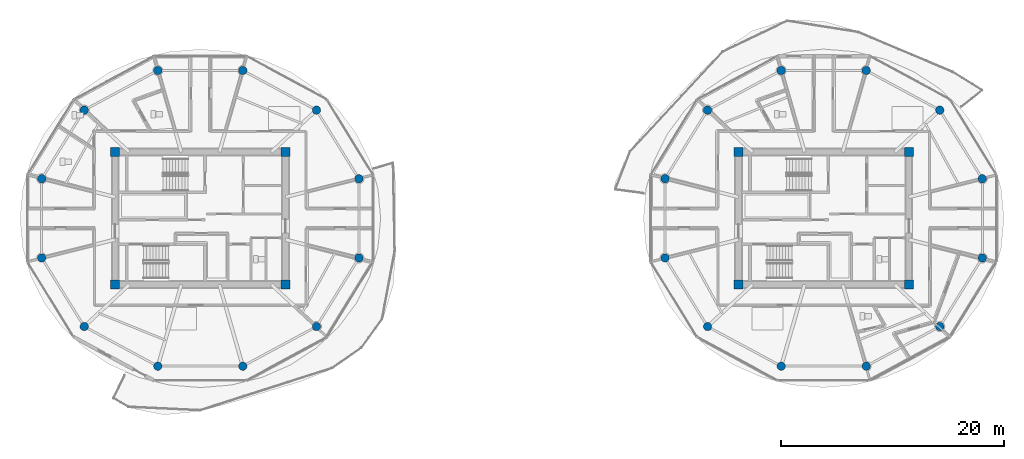
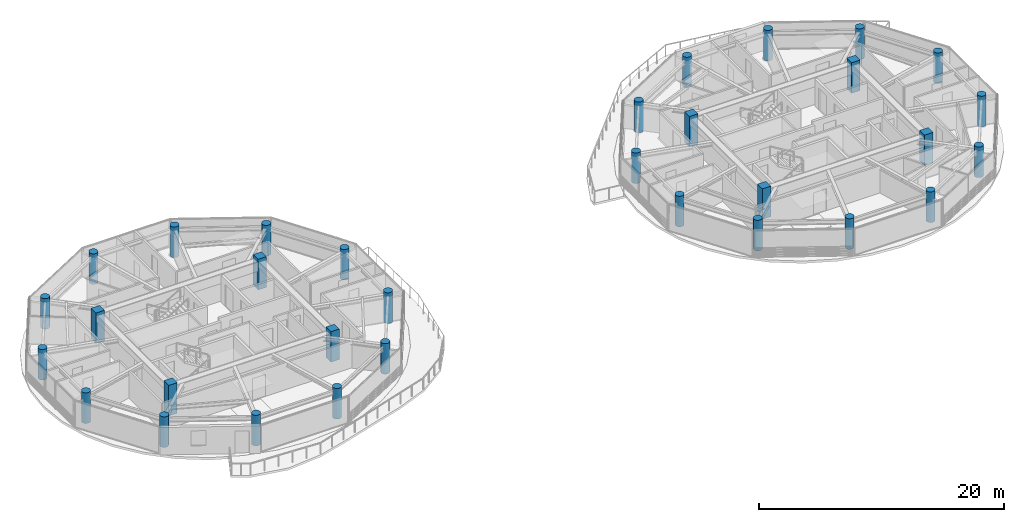
# One storey, part 1 of 21: 32 columns.
"""IFC4 building model written with IfcOpenShell, lengths in metres."""

from ifc_helpers import new_model, si_unit, direction, frame, origin, origin_2d, place, context, subcontext, project, spatial, rectangle, circle, extrude, source, transform, mapped, material, material_profile, profile_set, type_object, type_shapes, element, save


model = new_model("IFC4")

# Units and contexts
model_context = context("Model", 3, precision=1e-05, world=origin(), true_north=direction((0.0, 1.0)))
body_context = subcontext(model_context, "Body", "Model", "MODEL_VIEW")
ifc_project = project(units=[si_unit("LENGTHUNIT", "METRE"), si_unit("AREAUNIT", "SQUARE_METRE"), si_unit("VOLUMEUNIT", "CUBIC_METRE"), si_unit("PLANEANGLEUNIT", "RADIAN"), si_unit("MASSUNIT", "GRAM", prefix="KILO")], contexts=[model_context])

# Site, building, storey
site_placement = place(None, origin())
site = spatial("IfcSite", under=ifc_project, at=site_placement, CompositionType="ELEMENT")
building_placement = place(site_placement, origin())
building = spatial("IfcBuilding", under=site, at=building_placement, Name="Norrkilde Senior Care Towers", CompositionType="ELEMENT")
storey_placement = place(building_placement, frame((0.0, 0.0, 241.35009765625)))
storey = spatial("IfcBuildingStorey", under=building, at=storey_placement, Name="L75", CompositionType="ELEMENT", Elevation=241.35009765625)

# Columns
ifc_material_1 = material(Name="Concrete C60/75", Category="concrete")
ifc_material_profile_1 = material_profile(ifc_material_1, rectangle(XDim=0.800048828125, YDim=0.800048828125, at=origin_2d()), Name="RC COL 800x800")
ifc_profile_set_1 = profile_set([ifc_material_profile_1], Name="Concrete C60/75")
column_type_1 = type_object("IfcColumnType", Name="Column Core Corner Z3-Z4 800", PredefinedType="COLUMN", material=ifc_profile_set_1)
shared_shape_1 = source(origin(), body_context, "Body", "SweptSolid", [
    extrude(rectangle(XDim=0.800048828125, YDim=0.800048828125, at=origin_2d()), origin(), (0.0, 0.0, 1.0), 3.0498046875),
])
type_shapes(column_type_1, [shared_shape_1])
for number, where, z_axis, x_axis, name in (
    (1, (-35.64990234375, -5.949951171875, 0.0), (0.0, 0.0, 1.0), (1.0, 0.0, 0.0), "L75 Core W Corner Column 1"),
    (2, (-20.35009765625, -5.949951171875, 0.0), (0.0, 0.0, 1.0), (1.0, 0.0, 0.0), "L75 Core W Corner Column 2"),
    (3, (-20.35009765625, 5.949951171875, 0.0), (0.0, 0.0, 1.0), (1.0, 0.0, 0.0), "L75 Core W Corner Column 3"),
    (4, (-35.64990234375, 5.949951171875, 0.0), (0.0, 0.0, 1.0), (1.0, 0.0, 0.0), "L75 Core W Corner Column 4"),
    (5, (20.35009765625, -5.949951171875, 0.0), (0.0, 0.0, 1.0), (1.0, 0.0, 0.0), "L75 Core E Corner Column 1"),
    (6, (35.64990234375, -5.949951171875, 0.0), (0.0, 0.0, 1.0), (1.0, 0.0, 0.0), "L75 Core E Corner Column 2"),
    (7, (35.64990234375, 5.949951171875, 0.0), (0.0, 0.0, 1.0), (1.0, 0.0, 0.0), "L75 Core E Corner Column 3"),
    (8, (20.35009765625, 5.949951171875, 0.0), (0.0, 0.0, 1.0), (1.0, 0.0, 0.0), "L75 Core E Corner Column 4"),
):
    element("IfcColumn", number, at=place(storey_placement, frame(where, z_axis=z_axis, x_axis=x_axis)), inside=storey, type_object=column_type_1, Name=name, PredefinedType="COLUMN", context=body_context, shape_type="MappedRepresentation", body=[
        mapped(shared_shape_1, transform((0.0, 0.0, 0.0), x_axis=(1.0, 0.0, 0.0), y_axis=(0.0, 1.0, 0.0), z_axis=(0.0, 0.0, 1.0), scale=1.0)),
    ])
ifc_material_2 = material(Name="Concrete C50/60", Category="concrete")
ifc_material_profile_2 = material_profile(ifc_material_2, circle(Radius=0.375, at=origin_2d()), Name="RC CIR 750")
ifc_profile_set_2 = profile_set([ifc_material_profile_2], Name="Concrete C50/60")
column_type_2 = type_object("IfcColumnType", Name="Column Perimeter Z4 750", PredefinedType="COLUMN", material=ifc_profile_set_2)
shared_shape_2 = source(origin(), body_context, "Body", "SweptSolid", [
    extrude(circle(Radius=0.375, at=origin_2d()), origin(), (0.0, 0.0, 1.0), 3.0498046875),
])
type_shapes(column_type_2, [shared_shape_2])
for number, where, z_axis, x_axis, name in (
    (9, (-13.752685546875, 3.558837890625, 0.0), (0.0, 0.0, 1.0), (1.0, 0.0, 0.0), "L75 Drum W Perimeter Column 01"),
    (10, (-17.570068359375, 9.72265625, 0.0), (0.0, 0.0, 1.0), (1.0, 0.0, 0.0), "L75 Drum W Perimeter Column 02"),
    (11, (-24.182373046875, 13.281494140625, 0.0), (0.0, 0.0, 1.0), (1.0, 0.0, 0.0), "L75 Drum W Perimeter Column 03"),
    (12, (-31.817626953125, 13.281494140625, 0.0), (0.0, 0.0, 1.0), (1.0, 0.0, 0.0), "L75 Drum W Perimeter Column 04"),
    (13, (-38.429931640625, 9.72265625, 0.0), (0.0, 0.0, 1.0), (1.0, 0.0, 0.0), "L75 Drum W Perimeter Column 05"),
    (14, (-42.247314453125, 3.558837890625, 0.0), (0.0, 0.0, 1.0), (1.0, 0.0, 0.0), "L75 Drum W Perimeter Column 06"),
    (15, (-42.247314453125, -3.558837890625, 0.0), (0.0, 0.0, 1.0), (1.0, 0.0, 0.0), "L75 Drum W Perimeter Column 07"),
    (16, (-38.429931640625, -9.72265625, 0.0), (0.0, 0.0, 1.0), (1.0, 0.0, 0.0), "L75 Drum W Perimeter Column 08"),
    (17, (-31.817626953125, -13.281494140625, 0.0), (0.0, 0.0, 1.0), (1.0, 0.0, 0.0), "L75 Drum W Perimeter Column 09"),
    (18, (-24.182373046875, -13.281494140625, 0.0), (0.0, 0.0, 1.0), (1.0, 0.0, 0.0), "L75 Drum W Perimeter Column 10"),
    (19, (-17.570068359375, -9.72265625, 0.0), (0.0, 0.0, 1.0), (1.0, 0.0, 0.0), "L75 Drum W Perimeter Column 11"),
    (20, (-13.752685546875, -3.558837890625, 0.0), (0.0, 0.0, 1.0), (1.0, 0.0, 0.0), "L75 Drum W Perimeter Column 12"),
    (21, (42.247314453125, 3.558837890625, 0.0), (0.0, 0.0, 1.0), (1.0, 0.0, 0.0), "L75 Drum E Perimeter Column 01"),
    (22, (38.429931640625, 9.72265625, 0.0), (0.0, 0.0, 1.0), (1.0, 0.0, 0.0), "L75 Drum E Perimeter Column 02"),
    (23, (31.817626953125, 13.281494140625, 0.0), (0.0, 0.0, 1.0), (1.0, 0.0, 0.0), "L75 Drum E Perimeter Column 03"),
    (24, (24.182373046875, 13.281494140625, 0.0), (0.0, 0.0, 1.0), (1.0, 0.0, 0.0), "L75 Drum E Perimeter Column 04"),
    (25, (17.570068359375, 9.72265625, 0.0), (0.0, 0.0, 1.0), (1.0, 0.0, 0.0), "L75 Drum E Perimeter Column 05"),
    (26, (13.752685546875, 3.558837890625, 0.0), (0.0, 0.0, 1.0), (1.0, 0.0, 0.0), "L75 Drum E Perimeter Column 06"),
    (27, (13.752685546875, -3.558837890625, 0.0), (0.0, 0.0, 1.0), (1.0, 0.0, 0.0), "L75 Drum E Perimeter Column 07"),
    (28, (17.570068359375, -9.72265625, 0.0), (0.0, 0.0, 1.0), (1.0, 0.0, 0.0), "L75 Drum E Perimeter Column 08"),
    (29, (24.182373046875, -13.281494140625, 0.0), (0.0, 0.0, 1.0), (1.0, 0.0, 0.0), "L75 Drum E Perimeter Column 09"),
    (30, (31.817626953125, -13.281494140625, 0.0), (0.0, 0.0, 1.0), (1.0, 0.0, 0.0), "L75 Drum E Perimeter Column 10"),
    (31, (38.429931640625, -9.72265625, 0.0), (0.0, 0.0, 1.0), (1.0, 0.0, 0.0), "L75 Drum E Perimeter Column 11"),
    (32, (42.247314453125, -3.558837890625, 0.0), (0.0, 0.0, 1.0), (1.0, 0.0, 0.0), "L75 Drum E Perimeter Column 12"),
):
    element("IfcColumn", number, at=place(storey_placement, frame(where, z_axis=z_axis, x_axis=x_axis)), inside=storey, type_object=column_type_2, Name=name, PredefinedType="COLUMN", context=body_context, shape_type="MappedRepresentation", body=[
        mapped(shared_shape_2, transform((0.0, 0.0, 0.0), x_axis=(1.0, 0.0, 0.0), y_axis=(0.0, 1.0, 0.0), z_axis=(0.0, 0.0, 1.0), scale=1.0)),
    ])

save(model, "model.ifc")
